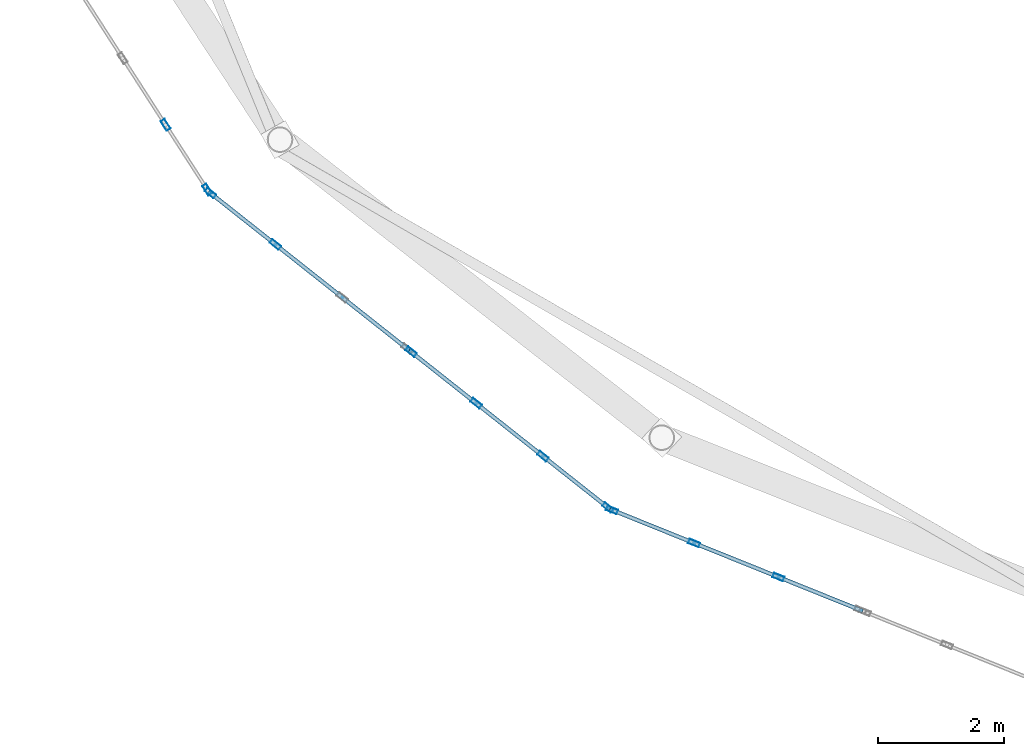
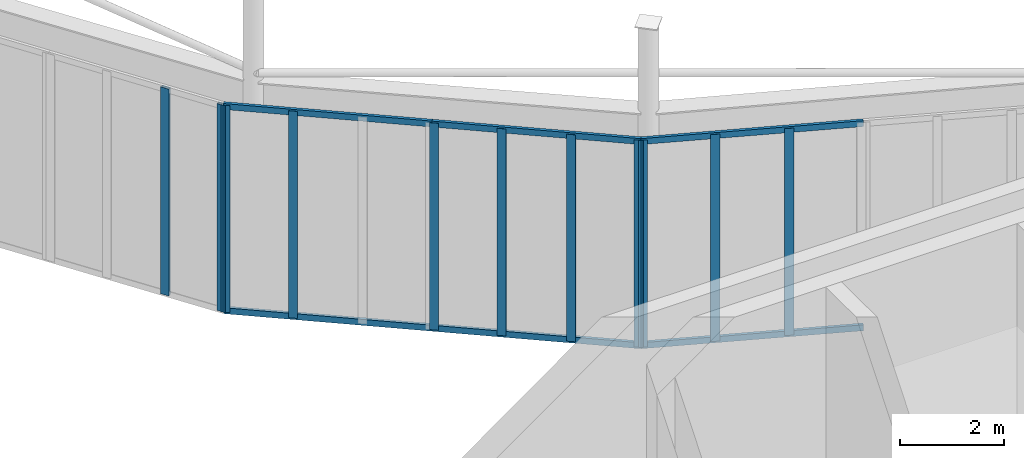
# One storey, part 25 of 91: 17 members, 4 elements without a shape of their own.
"""IFC4 building model written with IfcOpenShell, lengths in metres."""

from ifc_helpers import new_model, si_unit, direction, frame, origin, origin_2d, place, context, subcontext, project, spatial, hollow_rectangle, extrude, material, layer, layer_set, material_profile, profile_set, type_object, element, aggregate, save


model = new_model("IFC4")

# Units and contexts
model_context = context("Model", 3, precision=1e-05, world=origin(), true_north=direction((0.0, 1.0)))
body_context = subcontext(model_context, "Body", "Model", "MODEL_VIEW")
ifc_project = project(units=[si_unit("LENGTHUNIT", "METRE"), si_unit("AREAUNIT", "SQUARE_METRE"), si_unit("VOLUMEUNIT", "CUBIC_METRE"), si_unit("PLANEANGLEUNIT", "RADIAN"), si_unit("MASSUNIT", "GRAM", prefix="KILO")], contexts=[model_context])

# Site, building, storey
site_placement = place(None, origin())
site = spatial("IfcSite", under=ifc_project, at=site_placement, CompositionType="ELEMENT")
building_placement = place(site_placement, origin())
building = spatial("IfcBuilding", under=site, at=building_placement, Name="Sollismere Congress Hotel", CompositionType="ELEMENT")
storey_placement = place(building_placement, frame((0.0, 0.0, 10.800048828125)))
storey = spatial("IfcBuildingStorey", under=building, at=storey_placement, Name="L02", CompositionType="ELEMENT", Elevation=10.800048828125)

# Curtain wall, members
ifc_material_1 = material(Name="Anodized Bronze Curtain Wall & Low-E Triple Glazing", Category="glass")
ifc_layer = layer(ifc_material_1, 0.199951171875, Name="Anodized Bronze Curtain Wall & Low-E Triple Glazing")
ifc_layer_set = layer_set([ifc_layer], Name="Anodized Bronze Curtain Wall & Low-E Triple Glazing")
curtain_wall_type = type_object("IfcCurtainWallType", Name="CW-GLZ36", PredefinedType="USERDEFINED", material=ifc_layer_set)
curtain_wall_1_placement = place(storey_placement, origin())
curtain_wall_1 = element("IfcCurtainWall", 1, at=curtain_wall_1_placement, inside=storey, type_object=curtain_wall_type, Name="Unitised curtain wall CW-L02-052", ObjectType="UNITISED CURTAIN WALL", PredefinedType="USERDEFINED")
ifc_material_2 = material(Name="Anodized Aluminum 6063-T6", Category="aluminium")
ifc_material_profile_1 = material_profile(ifc_material_2, hollow_rectangle(XDim=0.074951171875, YDim=0.179931640625, WallThickness=0.0048828125, at=origin_2d()), Name="ALU180X75X5")
ifc_profile_set_1 = profile_set([ifc_material_profile_1], Name="Anodized Aluminum 6063-T6")
member_type_1 = type_object("IfcMemberType", Name="ML-CW180", PredefinedType="MULLION", material=ifc_profile_set_1)
member_1_placement = place(storey_placement, frame((5.060302734375, 78.0849609375, 0.0), z_axis=(0.0, 0.0, 1.0), x_axis=(0.840774542547, 0.541385415951, 0.0)))
member_1 = element("IfcMember", 2, at=member_1_placement, type_object=member_type_1, Name="CWL-CW-L02-052-ML03", PredefinedType="MULLION", context=body_context, shape_type="SweptSolid", body=[
    extrude(hollow_rectangle(XDim=0.074951171875, YDim=0.179931640625, WallThickness=0.0048828125, at=origin_2d()), origin(), (0.0, 0.0, 1.0), 4.85986328125),
])
member_2_placement = place(storey_placement, frame((5.72021484375, 77.059814453125, 0.0), z_axis=(0.0, 0.0, 1.0), x_axis=(0.840774542547, 0.541385415951, 0.0)))
member_2 = element("IfcMember", 3, at=member_2_placement, type_object=member_type_1, Name="CWL-CW-L02-052-ML04", PredefinedType="MULLION", context=body_context, shape_type="SweptSolid", body=[
    extrude(hollow_rectangle(XDim=0.074951171875, YDim=0.179931640625, WallThickness=0.0048828125, at=origin_2d()), origin(), (0.0, 0.0, 1.0), 4.85986328125),
])
aggregate(curtain_wall_1, [member_1, member_2])

curtain_wall_2_placement = place(storey_placement, origin())
curtain_wall_2 = element("IfcCurtainWall", 4, at=curtain_wall_2_placement, inside=storey, type_object=curtain_wall_type, Name="Unitised curtain wall CW-L02-057", ObjectType="UNITISED CURTAIN WALL", PredefinedType="USERDEFINED")
member_3_placement = place(storey_placement, frame((5.7705078125, 77.00439453125, 0.0), z_axis=(0.0, 0.0, 1.0), x_axis=(0.620532077362, 0.784181063891, 0.0)))
member_3 = element("IfcMember", 5, at=member_3_placement, type_object=member_type_1, Name="CWL-CW-L02-057-ML01", PredefinedType="MULLION", context=body_context, shape_type="SweptSolid", body=[
    extrude(hollow_rectangle(XDim=0.074951171875, YDim=0.179931640625, WallThickness=0.0048828125, at=origin_2d()), origin(), (0.0, 0.0, 1.0), 4.85986328125),
])
member_4_placement = place(storey_placement, frame((6.80078125, 76.189208984375, 0.0), z_axis=(0.0, 0.0, 1.0), x_axis=(0.620532077362, 0.784181063891, 0.0)))
member_4 = element("IfcMember", 6, at=member_4_placement, type_object=member_type_1, Name="CWL-CW-L02-057-ML02", PredefinedType="MULLION", context=body_context, shape_type="SweptSolid", body=[
    extrude(hollow_rectangle(XDim=0.074951171875, YDim=0.179931640625, WallThickness=0.0048828125, at=origin_2d()), origin(), (0.0, 0.0, 1.0), 4.85986328125),
])

curtain_wall_3_placement = place(storey_placement, origin())
curtain_wall_3 = element("IfcCurtainWall", 7, at=curtain_wall_3_placement, inside=storey, type_object=curtain_wall_type, Name="Unitised curtain wall CW-L02-058", ObjectType="UNITISED CURTAIN WALL", PredefinedType="USERDEFINED")
member_5_placement = place(storey_placement, frame((8.95068359375, 74.48779296875, 0.0), z_axis=(0.0, 0.0, 1.0), x_axis=(0.620532077362, 0.784181063891, 0.0)))
member_5 = element("IfcMember", 8, at=member_5_placement, type_object=member_type_1, Name="CWL-CW-L02-058-ML01", PredefinedType="MULLION", context=body_context, shape_type="SweptSolid", body=[
    extrude(hollow_rectangle(XDim=0.074951171875, YDim=0.179931640625, WallThickness=0.0048828125, at=origin_2d()), origin(), (0.0, 0.0, 1.0), 4.85986328125),
])
member_6_placement = place(storey_placement, frame((9.981201171875, 73.672607421875, 0.0), z_axis=(0.0, 0.0, 1.0), x_axis=(0.620532077362, 0.784181063891, 0.0)))
member_6 = element("IfcMember", 9, at=member_6_placement, type_object=member_type_1, Name="CWL-CW-L02-058-ML02", PredefinedType="MULLION", context=body_context, shape_type="SweptSolid", body=[
    extrude(hollow_rectangle(XDim=0.074951171875, YDim=0.179931640625, WallThickness=0.0048828125, at=origin_2d()), origin(), (0.0, 0.0, 1.0), 4.85986328125),
])
member_7_placement = place(storey_placement, frame((11.041015625, 72.833740234375, 0.0), z_axis=(0.0, 0.0, 1.0), x_axis=(0.620532077362, 0.784181063891, 0.0)))
member_7 = element("IfcMember", 10, at=member_7_placement, type_object=member_type_1, Name="CWL-CW-L02-058-ML03", PredefinedType="MULLION", context=body_context, shape_type="SweptSolid", body=[
    extrude(hollow_rectangle(XDim=0.074951171875, YDim=0.179931640625, WallThickness=0.0048828125, at=origin_2d()), origin(), (0.0, 0.0, 1.0), 4.85986328125),
])
member_8_placement = place(storey_placement, frame((12.0712890625, 72.0185546875, 0.0), z_axis=(0.0, 0.0, 1.0), x_axis=(0.620532077362, 0.784181063891, 0.0)))
member_8 = element("IfcMember", 11, at=member_8_placement, type_object=member_type_1, Name="CWL-CW-L02-058-ML04", PredefinedType="MULLION", context=body_context, shape_type="SweptSolid", body=[
    extrude(hollow_rectangle(XDim=0.074951171875, YDim=0.179931640625, WallThickness=0.0048828125, at=origin_2d()), origin(), (0.0, 0.0, 1.0), 4.85986328125),
])

curtain_wall_4_placement = place(storey_placement, origin())
curtain_wall_4 = element("IfcCurtainWall", 12, at=curtain_wall_4_placement, inside=storey, type_object=curtain_wall_type, Name="Unitised curtain wall CW-L02-063", ObjectType="UNITISED CURTAIN WALL", PredefinedType="USERDEFINED")
member_9_placement = place(storey_placement, frame((12.136474609375, 71.980712890625, 0.0), z_axis=(0.0, 0.0, 1.0), x_axis=(0.373943018709, 0.927451680013, 0.0)))
member_9 = element("IfcMember", 13, at=member_9_placement, type_object=member_type_1, Name="CWL-CW-L02-063-ML01", PredefinedType="MULLION", context=body_context, shape_type="SweptSolid", body=[
    extrude(hollow_rectangle(XDim=0.074951171875, YDim=0.179931640625, WallThickness=0.0048828125, at=origin_2d()), origin(), (0.0, 0.0, 1.0), 4.85986328125),
])
member_10_placement = place(storey_placement, frame((13.43701171875, 71.456298828125, 0.0), z_axis=(0.0, 0.0, 1.0), x_axis=(0.373943018709, 0.927451680013, 0.0)))
member_10 = element("IfcMember", 14, at=member_10_placement, type_object=member_type_1, Name="CWL-CW-L02-063-ML02", PredefinedType="MULLION", context=body_context, shape_type="SweptSolid", body=[
    extrude(hollow_rectangle(XDim=0.074951171875, YDim=0.179931640625, WallThickness=0.0048828125, at=origin_2d()), origin(), (0.0, 0.0, 1.0), 4.85986328125),
])
member_11_placement = place(storey_placement, frame((14.772705078125, 70.917724609375, 0.0), z_axis=(0.0, 0.0, 1.0), x_axis=(0.373943018709, 0.927451680013, 0.0)))
member_11 = element("IfcMember", 15, at=member_11_placement, type_object=member_type_1, Name="CWL-CW-L02-063-ML03", PredefinedType="MULLION", context=body_context, shape_type="SweptSolid", body=[
    extrude(hollow_rectangle(XDim=0.074951171875, YDim=0.179931640625, WallThickness=0.0048828125, at=origin_2d()), origin(), (0.0, 0.0, 1.0), 4.85986328125),
])

# Member
ifc_material_profile_2 = material_profile(ifc_material_2, hollow_rectangle(XDim=0.06494140625, YDim=0.139892578125, WallThickness=0.00390625, at=origin_2d()), Name="ALU140X65X4")
ifc_profile_set_2 = profile_set([ifc_material_profile_2], Name="Anodized Aluminum 6063-T6")
member_type_2 = type_object("IfcMemberType", Name="TR-CW150", PredefinedType="MEMBER", material=ifc_profile_set_2)
member_12_placement = place(storey_placement, frame((5.74072265625, 77.02783203125, 0.032470703125), z_axis=(0.78419961589, -0.620508632042, 0.0), x_axis=(0.620508632042, 0.78419961589, 0.0)))
member_12 = element("IfcMember", 16, at=member_12_placement, type_object=member_type_2, Name="CWL-CW-L02-057-TR1", PredefinedType="MEMBER", context=body_context, shape_type="SweptSolid", body=[
    extrude(hollow_rectangle(XDim=0.06494140625, YDim=0.139892578125, WallThickness=0.00390625, at=origin_2d()), origin(), (0.0, 0.0, 1.0), 4.055419921875),
])

member_13_placement = place(storey_placement, frame((5.74072265625, 77.02783203125, 4.827392578125), z_axis=(0.78419961589, -0.620508632042, 0.0), x_axis=(0.620508632042, 0.78419961589, 0.0)))
member_13 = element("IfcMember", 17, at=member_13_placement, type_object=member_type_2, Name="CWL-CW-L02-057-TR2", PredefinedType="MEMBER", context=body_context, shape_type="SweptSolid", body=[
    extrude(hollow_rectangle(XDim=0.06494140625, YDim=0.139892578125, WallThickness=0.00390625, at=origin_2d()), origin(), (0.0, 0.0, 1.0), 4.055419921875),
])

aggregate(curtain_wall_2, [member_3, member_4, member_12, member_13])

member_14_placement = place(storey_placement, frame((8.9208984375, 74.511474609375, 0.032470703125), z_axis=(0.784193501486, -0.620516359355, 0.0), x_axis=(0.620516359355, 0.784193501486, 0.0)))
member_14 = element("IfcMember", 18, at=member_14_placement, type_object=member_type_2, Name="CWL-CW-L02-058-TR1", PredefinedType="MEMBER", context=body_context, shape_type="SweptSolid", body=[
    extrude(hollow_rectangle(XDim=0.06494140625, YDim=0.139892578125, WallThickness=0.00390625, at=origin_2d()), origin(), (0.0, 0.0, 1.0), 4.0556640625),
])

member_15_placement = place(storey_placement, frame((8.9208984375, 74.511474609375, 4.827392578125), z_axis=(0.784193501486, -0.620516359355, 0.0), x_axis=(0.620516359355, 0.784193501486, 0.0)))
member_15 = element("IfcMember", 19, at=member_15_placement, type_object=member_type_2, Name="CWL-CW-L02-058-TR2", PredefinedType="MEMBER", context=body_context, shape_type="SweptSolid", body=[
    extrude(hollow_rectangle(XDim=0.06494140625, YDim=0.139892578125, WallThickness=0.00390625, at=origin_2d()), origin(), (0.0, 0.0, 1.0), 4.0556640625),
])

aggregate(curtain_wall_3, [member_5, member_6, member_7, member_8, member_14, member_15])

member_16_placement = place(storey_placement, frame((12.101318359375, 71.994873046875, 0.032470703125), z_axis=(0.927444316939, -0.373961280052, 0.0), x_axis=(0.373961280052, 0.927444316939, 0.0)))
member_16 = element("IfcMember", 20, at=member_16_placement, type_object=member_type_2, Name="CWL-CW-L02-063-TR1", PredefinedType="MEMBER", context=body_context, shape_type="SweptSolid", body=[
    extrude(hollow_rectangle(XDim=0.06494140625, YDim=0.139892578125, WallThickness=0.00390625, at=origin_2d()), origin(), (0.0, 0.0, 1.0), 4.320556640625),
])

member_17_placement = place(storey_placement, frame((12.101318359375, 71.994873046875, 4.827392578125), z_axis=(0.927444316939, -0.373961280052, 0.0), x_axis=(0.373961280052, 0.927444316939, 0.0)))
member_17 = element("IfcMember", 21, at=member_17_placement, type_object=member_type_2, Name="CWL-CW-L02-063-TR2", PredefinedType="MEMBER", context=body_context, shape_type="SweptSolid", body=[
    extrude(hollow_rectangle(XDim=0.06494140625, YDim=0.139892578125, WallThickness=0.00390625, at=origin_2d()), origin(), (0.0, 0.0, 1.0), 4.320556640625),
])

aggregate(curtain_wall_4, [member_9, member_10, member_11, member_16, member_17])

save(model, "model.ifc")
